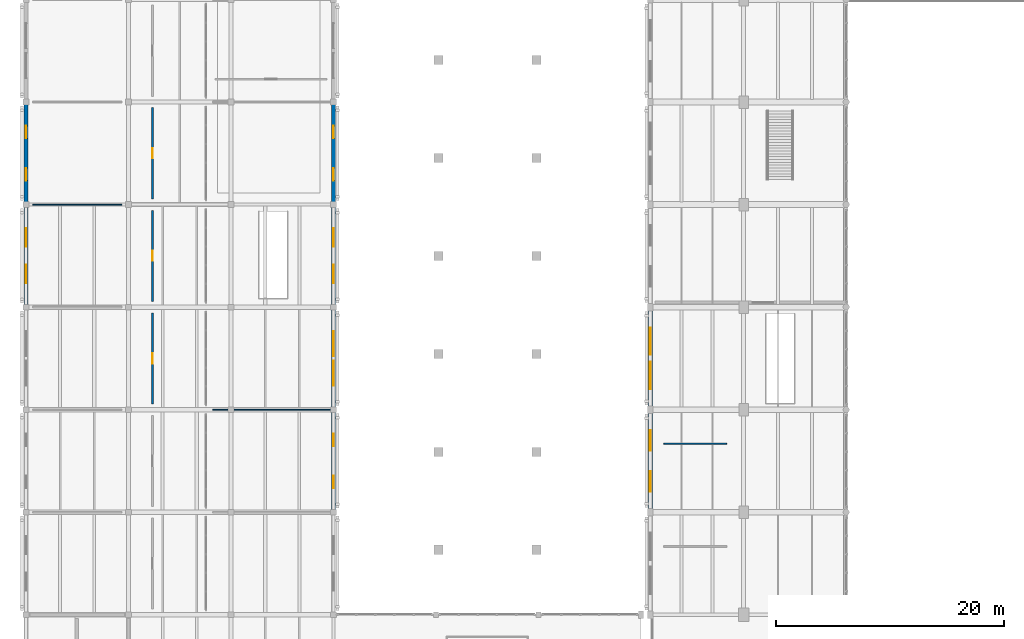
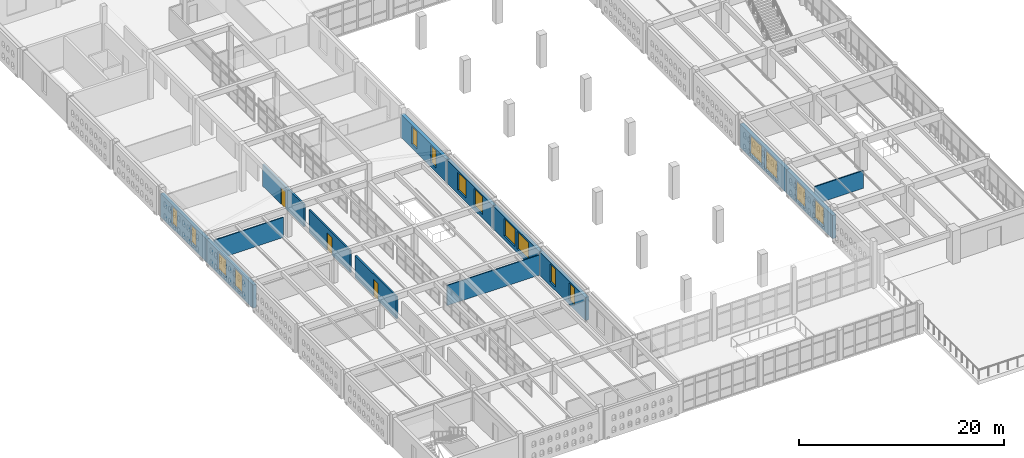
# One storey, part 128 of 156: 16 windows, 14 walls, 3 doors, 19 openings.
"""IFC4 building model written with IfcOpenShell, lengths in metres."""

from ifc_helpers import new_model, si_unit, direction, frame, frame_2d, origin, place, context, subcontext, project, spatial, rectangle, extrude, material, layer, layer_set, type_object, element, fill, save


model = new_model("IFC4")

# Units and contexts
model_context = context("Model", 3, precision=1e-05, world=origin(), true_north=direction((0.0, 1.0)))
body_context = subcontext(model_context, "Body", "Model", "MODEL_VIEW")
ifc_project = project(units=[si_unit("LENGTHUNIT", "METRE"), si_unit("AREAUNIT", "SQUARE_METRE"), si_unit("VOLUMEUNIT", "CUBIC_METRE"), si_unit("PLANEANGLEUNIT", "RADIAN"), si_unit("MASSUNIT", "GRAM", prefix="KILO")], contexts=[model_context])

# Site, building, storey
site_placement = place(None, origin())
site = spatial("IfcSite", under=ifc_project, at=site_placement, CompositionType="ELEMENT")
building_placement = place(site_placement, origin())
building = spatial("IfcBuilding", under=site, at=building_placement, Name="Ornek Quay Market", CompositionType="ELEMENT")
storey_placement = place(building_placement, frame((0.0, 0.0, 4.5)))
storey = spatial("IfcBuildingStorey", under=building, at=storey_placement, Name="L01", CompositionType="ELEMENT", Elevation=4.5)

# Wall, opening, door
ifc_material_1 = material(Name="Autoclaved aerated concrete masonry", Category="masonry")
ifc_layer_1 = layer(ifc_material_1, 0.179931640625, Name="Autoclaved aerated concrete masonry", Category="masonry")
ifc_layer_set_1 = layer_set([ifc_layer_1], Name="Autoclaved aerated concrete masonry")
wall_type_1 = type_object("IfcWallType", Name="WL-CORR-180", PredefinedType="STANDARD", material=ifc_layer_set_1)
wall_1_placement = place(storey_placement, frame((11.10009765625, 47.5, 0.0), z_axis=(0.0, 0.0, 1.0), x_axis=(0.0, 1.0, 0.0)))
wall_1 = element("IfcWall", 1, at=wall_1_placement, inside=storey, type_object=wall_type_1, Name="Interior wall W-INT1-248", PredefinedType="STANDARD", context=body_context, shape_type="SweptSolid", body=[
    extrude(rectangle(XDim=8.0, YDim=0.179931640625, at=frame_2d((4.0, 0.0))), origin(), (0.0, 0.0, 1.0), 2.64990234375),
])
opening_1_placement = place(wall_1_placement, frame((3.550048828125, 0.0, 0.0)))
opening_1 = element("IfcOpeningElement", 2, at=opening_1_placement, cuts=wall_1, Name="Opening ID-05-113", PredefinedType="OPENING", context=body_context, shape_type="SweptSolid", body=[
    extrude(rectangle(XDim=0.89990234375, YDim=2.050048828125, at=frame_2d((0.449951171875, 1.02490234375))), frame((0.0, 0.099853515625, 0.0), z_axis=(0.0, -1.0, 0.0), x_axis=(1.0, 0.0, 0.0)), (0.0, 0.0, 1.0), 0.199951171875),
])
ifc_material_2 = material(Name="Timber market stall service door", Category="wood")
door_type = type_object("IfcDoorType", Name="DR-INT-STALL-900x2050", OperationType="NOTDEFINED", PredefinedType="DOOR", material=ifc_material_2)
door_1_placement = place(opening_1_placement, origin())
door_1 = element("IfcDoor", 3, at=door_1_placement, inside=storey, type_object=door_type, Name="Interior door ID-05-113", OperationType="SINGLE_SWING_RIGHT", OverallHeight=2.050048828125, OverallWidth=0.89990234375, PredefinedType="DOOR", context=body_context, shape_type="SweptSolid", body=[
    extrude(rectangle(XDim=0.89990234375, YDim=2.050048828125, at=frame_2d((0.449951171875, 1.02490234375))), frame((0.0, 0.02490234375, 0.0), z_axis=(0.0, -1.0, 0.0), x_axis=(1.0, 0.0, 0.0)), (0.0, 0.0, 1.0), 0.050048828125),
])
fill(opening_1, door_1)

wall_2_placement = place(storey_placement, frame((11.10009765625, 56.5, 0.0), z_axis=(0.0, 0.0, 1.0), x_axis=(0.0, 1.0, 0.0)))
wall_2 = element("IfcWall", 4, at=wall_2_placement, inside=storey, type_object=wall_type_1, Name="Interior wall W-INT1-249", PredefinedType="STANDARD", context=body_context, shape_type="SweptSolid", body=[
    extrude(rectangle(XDim=8.0, YDim=0.179931640625, at=frame_2d((4.0, 0.0))), origin(), (0.0, 0.0, 1.0), 2.64990234375),
])
opening_2_placement = place(wall_2_placement, frame((3.550048828125, 0.0, 0.0)))
opening_2 = element("IfcOpeningElement", 5, at=opening_2_placement, cuts=wall_2, Name="Opening ID-05-114", PredefinedType="OPENING", context=body_context, shape_type="SweptSolid", body=[
    extrude(rectangle(XDim=0.89990234375, YDim=2.050048828125, at=frame_2d((0.449951171875, 1.02490234375))), frame((0.0, 0.099853515625, 0.0), z_axis=(0.0, -1.0, 0.0), x_axis=(1.0, 0.0, 0.0)), (0.0, 0.0, 1.0), 0.199951171875),
])
door_2_placement = place(opening_2_placement, origin())
door_2 = element("IfcDoor", 6, at=door_2_placement, inside=storey, type_object=door_type, Name="Interior door ID-05-114", OperationType="SINGLE_SWING_LEFT", OverallHeight=2.050048828125, OverallWidth=0.89990234375, PredefinedType="DOOR", context=body_context, shape_type="SweptSolid", body=[
    extrude(rectangle(XDim=0.89990234375, YDim=2.050048828125, at=frame_2d((0.449951171875, 1.02490234375))), frame((0.0, 0.02490234375, 0.0), z_axis=(0.0, -1.0, 0.0), x_axis=(1.0, 0.0, 0.0)), (0.0, 0.0, 1.0), 0.050048828125),
])
fill(opening_2, door_2)

wall_3_placement = place(storey_placement, frame((11.10009765625, 65.5, 0.0), z_axis=(0.0, 0.0, 1.0), x_axis=(0.0, 1.0, 0.0)))
wall_3 = element("IfcWall", 7, at=wall_3_placement, inside=storey, type_object=wall_type_1, Name="Interior wall W-INT1-250", PredefinedType="STANDARD", context=body_context, shape_type="SweptSolid", body=[
    extrude(rectangle(XDim=8.0, YDim=0.179931640625, at=frame_2d((4.0, 0.0))), origin(), (0.0, 0.0, 1.0), 2.64990234375),
])
opening_3_placement = place(wall_3_placement, frame((3.550048828125, 0.0, 0.0)))
opening_3 = element("IfcOpeningElement", 8, at=opening_3_placement, cuts=wall_3, Name="Opening ID-05-115", PredefinedType="OPENING", context=body_context, shape_type="SweptSolid", body=[
    extrude(rectangle(XDim=0.89990234375, YDim=2.050048828125, at=frame_2d((0.449951171875, 1.02490234375))), frame((0.0, 0.099853515625, 0.0), z_axis=(0.0, -1.0, 0.0), x_axis=(1.0, 0.0, 0.0)), (0.0, 0.0, 1.0), 0.199951171875),
])
door_3_placement = place(opening_3_placement, origin())
door_3 = element("IfcDoor", 9, at=door_3_placement, inside=storey, type_object=door_type, Name="Interior door ID-05-115", OperationType="SINGLE_SWING_RIGHT", OverallHeight=2.050048828125, OverallWidth=0.89990234375, PredefinedType="DOOR", context=body_context, shape_type="SweptSolid", body=[
    extrude(rectangle(XDim=0.89990234375, YDim=2.050048828125, at=frame_2d((0.449951171875, 1.02490234375))), frame((0.0, 0.02490234375, 0.0), z_axis=(0.0, -1.0, 0.0), x_axis=(1.0, 0.0, 0.0)), (0.0, 0.0, 1.0), 0.050048828125),
])
fill(opening_3, door_3)

# Wall, openings, windows
ifc_material_3 = material(Name="Frost-resistant facing clay brick M200 F100", Category="masonry")
ifc_layer_2 = layer(ifc_material_3, 0.419921875, Name="Frost-resistant facing clay brick M200 F100", Category="masonry")
ifc_layer_set_2 = layer_set([ifc_layer_2], Name="Frost-resistant facing clay brick M200 F100")
wall_type_2 = type_object("IfcWallType", Name="WL-EXT-HALL-420", PredefinedType="STANDARD", material=ifc_layer_set_2)
wall_4_placement = place(storey_placement, frame((54.800048828125, 38.0, 0.0), z_axis=(0.0, 0.0, 1.0), x_axis=(0.0, 1.0, 0.0)))
wall_4 = element("IfcWall", 10, at=wall_4_placement, inside=storey, type_object=wall_type_2, Name="Exterior wall EW-128", PredefinedType="STANDARD", context=body_context, shape_type="SweptSolid", body=[
    extrude(rectangle(XDim=9.0, YDim=0.419921875, at=frame_2d((4.5, 0.0))), origin(), (0.0, 0.0, 1.0), 2.7900390625),
])
opening_4_placement = place(wall_4_placement, frame((1.800048828125, 0.0, 0.35009765625)))
opening_4 = element("IfcOpeningElement", 11, at=opening_4_placement, cuts=wall_4, Name="Opening W-02-088", PredefinedType="OPENING", context=body_context, shape_type="SweptSolid", body=[
    extrude(rectangle(XDim=1.800048828125, YDim=2.260009765625, at=frame_2d((0.89990234375, 1.1298828125))), frame((0.0, 0.219970703125, 0.0), z_axis=(0.0, -1.0, 0.0), x_axis=(1.0, 0.0, 0.0)), (0.0, 0.0, 1.0), 0.43994140625),
])
opening_5_placement = place(wall_4_placement, frame((5.39990234375, 0.0, 0.35009765625)))
opening_5 = element("IfcOpeningElement", 12, at=opening_5_placement, cuts=wall_4, Name="Opening W-02-089", PredefinedType="OPENING", context=body_context, shape_type="SweptSolid", body=[
    extrude(rectangle(XDim=1.800048828125, YDim=2.260009765625, at=frame_2d((0.89990234375, 1.1298828125))), frame((0.0, 0.219970703125, 0.0), z_axis=(0.0, -1.0, 0.0), x_axis=(1.0, 0.0, 0.0)), (0.0, 0.0, 1.0), 0.43994140625),
])
ifc_material_4 = material(Name="Thermally broken bronze aluminium and triple low-e glass", Category="aluminium")
window_type_1 = type_object("IfcWindowType", Name="WN-HALL-1800x2600", PartitioningType="DOUBLE_PANEL_VERTICAL", PredefinedType="WINDOW", material=ifc_material_4)
window_1_placement = place(opening_4_placement, origin())
window_1 = element("IfcWindow", 13, at=window_1_placement, inside=storey, type_object=window_type_1, Name="Window W-02-088", OverallHeight=2.260009765625, OverallWidth=1.800048828125, PartitioningType="SINGLE_PANEL", PredefinedType="WINDOW", context=body_context, shape_type="SweptSolid", body=[
    extrude(rectangle(XDim=1.800048828125, YDim=2.260009765625, at=frame_2d((0.89990234375, 1.1298828125))), frame((0.0, 0.030029296875, 0.0), z_axis=(0.0, -1.0, 0.0), x_axis=(1.0, 0.0, 0.0)), (0.0, 0.0, 1.0), 0.06005859375),
])
fill(opening_4, window_1)
window_2_placement = place(opening_5_placement, origin())
window_2 = element("IfcWindow", 14, at=window_2_placement, inside=storey, type_object=window_type_1, Name="Window W-02-089", OverallHeight=2.260009765625, OverallWidth=1.800048828125, PartitioningType="SINGLE_PANEL", PredefinedType="WINDOW", context=body_context, shape_type="SweptSolid", body=[
    extrude(rectangle(XDim=1.800048828125, YDim=2.260009765625, at=frame_2d((0.89990234375, 1.1298828125))), frame((0.0, 0.030029296875, 0.0), z_axis=(0.0, -1.0, 0.0), x_axis=(1.0, 0.0, 0.0)), (0.0, 0.0, 1.0), 0.06005859375),
])
fill(opening_5, window_2)

wall_5_placement = place(storey_placement, frame((54.800048828125, 47.0, 0.0), z_axis=(0.0, 0.0, 1.0), x_axis=(0.0, 1.0, 0.0)))
wall_5 = element("IfcWall", 15, at=wall_5_placement, inside=storey, type_object=wall_type_2, Name="Exterior wall EW-129", PredefinedType="STANDARD", context=body_context, shape_type="SweptSolid", body=[
    extrude(rectangle(XDim=9.0, YDim=0.419921875, at=frame_2d((4.5, 0.0))), origin(), (0.0, 0.0, 1.0), 2.7900390625),
])
opening_6_placement = place(wall_5_placement, frame((1.800048828125, 0.0, 0.35009765625)))
opening_6 = element("IfcOpeningElement", 16, at=opening_6_placement, cuts=wall_5, Name="Opening W-01-090", PredefinedType="OPENING", context=body_context, shape_type="SweptSolid", body=[
    extrude(rectangle(XDim=2.39990234375, YDim=2.260009765625, at=frame_2d((1.199951171875, 1.1298828125))), frame((0.0, 0.219970703125, 0.0), z_axis=(0.0, -1.0, 0.0), x_axis=(1.0, 0.0, 0.0)), (0.0, 0.0, 1.0), 0.43994140625),
])
opening_7_placement = place(wall_5_placement, frame((4.800048828125, 0.0, 0.35009765625)))
opening_7 = element("IfcOpeningElement", 17, at=opening_7_placement, cuts=wall_5, Name="Opening W-01-091", PredefinedType="OPENING", context=body_context, shape_type="SweptSolid", body=[
    extrude(rectangle(XDim=2.39990234375, YDim=2.260009765625, at=frame_2d((1.199951171875, 1.1298828125))), frame((0.0, 0.219970703125, 0.0), z_axis=(0.0, -1.0, 0.0), x_axis=(1.0, 0.0, 0.0)), (0.0, 0.0, 1.0), 0.43994140625),
])
window_type_2 = type_object("IfcWindowType", Name="WN-HALL-2400x2600", PartitioningType="DOUBLE_PANEL_VERTICAL", PredefinedType="WINDOW", material=ifc_material_4)
window_3_placement = place(opening_6_placement, origin())
window_3 = element("IfcWindow", 18, at=window_3_placement, inside=storey, type_object=window_type_2, Name="Window W-01-090", OverallHeight=2.260009765625, OverallWidth=2.39990234375, PartitioningType="SINGLE_PANEL", PredefinedType="WINDOW", context=body_context, shape_type="SweptSolid", body=[
    extrude(rectangle(XDim=2.39990234375, YDim=2.260009765625, at=frame_2d((1.199951171875, 1.1298828125))), frame((0.0, 0.030029296875, 0.0), z_axis=(0.0, -1.0, 0.0), x_axis=(1.0, 0.0, 0.0)), (0.0, 0.0, 1.0), 0.06005859375),
])
fill(opening_6, window_3)
window_4_placement = place(opening_7_placement, origin())
window_4 = element("IfcWindow", 19, at=window_4_placement, inside=storey, type_object=window_type_2, Name="Window W-01-091", OverallHeight=2.260009765625, OverallWidth=2.39990234375, PartitioningType="SINGLE_PANEL", PredefinedType="WINDOW", context=body_context, shape_type="SweptSolid", body=[
    extrude(rectangle(XDim=2.39990234375, YDim=2.260009765625, at=frame_2d((1.199951171875, 1.1298828125))), frame((0.0, 0.030029296875, 0.0), z_axis=(0.0, -1.0, 0.0), x_axis=(1.0, 0.0, 0.0)), (0.0, 0.0, 1.0), 0.06005859375),
])
fill(opening_7, window_4)

ifc_layer_3 = layer(ifc_material_3, 0.3798828125, Name="Frost-resistant facing clay brick M200 F100", Category="masonry")
ifc_layer_set_3 = layer_set([ifc_layer_3], Name="Frost-resistant facing clay brick M200 F100")
wall_type_3 = type_object("IfcWallType", Name="WL-EXT-WING-380", PredefinedType="STANDARD", material=ifc_layer_set_3)
wall_6_placement = place(storey_placement, frame((0.0, 56.0, 0.0), z_axis=(0.0, 0.0, 1.0), x_axis=(0.0, 1.0, 0.0)))
wall_6 = element("IfcWall", 20, at=wall_6_placement, inside=storey, type_object=wall_type_3, Name="Exterior wall EW-064", PredefinedType="STANDARD", context=body_context, shape_type="SweptSolid", body=[
    extrude(rectangle(XDim=9.0, YDim=0.3798828125, at=frame_2d((4.5, 0.0))), origin(), (0.0, 0.0, 1.0), 2.760009765625),
])
opening_8_placement = place(wall_6_placement, frame((2.10009765625, 0.0, 0.469970703125)))
opening_8 = element("IfcOpeningElement", 21, at=opening_8_placement, cuts=wall_6, Name="Opening W-13-034", PredefinedType="OPENING", context=body_context, shape_type="SweptSolid", body=[
    extrude(rectangle(XDim=1.60009765625, YDim=2.10009765625, at=frame_2d((0.800048828125, 1.050048828125))), frame((0.0, 0.199951171875, 0.0), z_axis=(0.0, -1.0, 0.0), x_axis=(1.0, 0.0, 0.0)), (0.0, 0.0, 1.0), 0.39990234375),
])
opening_9_placement = place(wall_6_placement, frame((5.300048828125, 0.0, 0.469970703125)))
opening_9 = element("IfcOpeningElement", 22, at=opening_9_placement, cuts=wall_6, Name="Opening W-13-035", PredefinedType="OPENING", context=body_context, shape_type="SweptSolid", body=[
    extrude(rectangle(XDim=1.60009765625, YDim=2.10009765625, at=frame_2d((0.800048828125, 1.050048828125))), frame((0.0, 0.199951171875, 0.0), z_axis=(0.0, -1.0, 0.0), x_axis=(1.0, 0.0, 0.0)), (0.0, 0.0, 1.0), 0.39990234375),
])
window_type_3 = type_object("IfcWindowType", Name="WN-WW-1600x2100", PartitioningType="DOUBLE_PANEL_VERTICAL", PredefinedType="WINDOW", material=ifc_material_4)
window_5_placement = place(opening_8_placement, origin())
window_5 = element("IfcWindow", 23, at=window_5_placement, inside=storey, type_object=window_type_3, Name="Window W-13-034", OverallHeight=2.10009765625, OverallWidth=1.60009765625, PartitioningType="SINGLE_PANEL", PredefinedType="WINDOW", context=body_context, shape_type="SweptSolid", body=[
    extrude(rectangle(XDim=1.60009765625, YDim=2.10009765625, at=frame_2d((0.800048828125, 1.050048828125))), frame((0.0, 0.030029296875, 0.0), z_axis=(0.0, -1.0, 0.0), x_axis=(1.0, 0.0, 0.0)), (0.0, 0.0, 1.0), 0.06005859375),
])
fill(opening_8, window_5)
window_6_placement = place(opening_9_placement, origin())
window_6 = element("IfcWindow", 24, at=window_6_placement, inside=storey, type_object=window_type_3, Name="Window W-13-035", OverallHeight=2.10009765625, OverallWidth=1.60009765625, PartitioningType="SINGLE_PANEL", PredefinedType="WINDOW", context=body_context, shape_type="SweptSolid", body=[
    extrude(rectangle(XDim=1.60009765625, YDim=2.10009765625, at=frame_2d((0.800048828125, 1.050048828125))), frame((0.0, 0.030029296875, 0.0), z_axis=(0.0, -1.0, 0.0), x_axis=(1.0, 0.0, 0.0)), (0.0, 0.0, 1.0), 0.06005859375),
])
fill(opening_9, window_6)

wall_7_placement = place(storey_placement, frame((0.0, 65.0, 0.0), z_axis=(0.0, 0.0, 1.0), x_axis=(0.0, 1.0, 0.0)))
wall_7 = element("IfcWall", 25, at=wall_7_placement, inside=storey, type_object=wall_type_3, Name="Exterior wall EW-065", PredefinedType="STANDARD", context=body_context, shape_type="SweptSolid", body=[
    extrude(rectangle(XDim=9.0, YDim=0.3798828125, at=frame_2d((4.5, 0.0))), origin(), (0.0, 0.0, 1.0), 2.760009765625),
])
opening_10_placement = place(wall_7_placement, frame((2.10009765625, 0.0, 0.47998046875)))
opening_10 = element("IfcOpeningElement", 26, at=opening_10_placement, cuts=wall_7, Name="Opening W-14-036", PredefinedType="OPENING", context=body_context, shape_type="SweptSolid", body=[
    extrude(rectangle(XDim=1.10009765625, YDim=2.10009765625, at=frame_2d((0.550048828125, 1.050048828125))), frame((0.0, 0.199951171875, 0.0), z_axis=(0.0, -1.0, 0.0), x_axis=(1.0, 0.0, 0.0)), (0.0, 0.0, 1.0), 0.39990234375),
])
opening_11_placement = place(wall_7_placement, frame((5.800048828125, 0.0, 0.47998046875)))
opening_11 = element("IfcOpeningElement", 27, at=opening_11_placement, cuts=wall_7, Name="Opening W-14-037", PredefinedType="OPENING", context=body_context, shape_type="SweptSolid", body=[
    extrude(rectangle(XDim=1.10009765625, YDim=2.10009765625, at=frame_2d((0.550048828125, 1.050048828125))), frame((0.0, 0.199951171875, 0.0), z_axis=(0.0, -1.0, 0.0), x_axis=(1.0, 0.0, 0.0)), (0.0, 0.0, 1.0), 0.39990234375),
])
window_type_4 = type_object("IfcWindowType", Name="WN-WW-1100x2100", PartitioningType="SINGLE_PANEL", PredefinedType="WINDOW", material=ifc_material_4)
window_7_placement = place(opening_10_placement, origin())
window_7 = element("IfcWindow", 28, at=window_7_placement, inside=storey, type_object=window_type_4, Name="Window W-14-036", OverallHeight=2.10009765625, OverallWidth=1.10009765625, PartitioningType="SINGLE_PANEL", PredefinedType="WINDOW", context=body_context, shape_type="SweptSolid", body=[
    extrude(rectangle(XDim=1.10009765625, YDim=2.10009765625, at=frame_2d((0.550048828125, 1.050048828125))), frame((0.0, 0.030029296875, 0.0), z_axis=(0.0, -1.0, 0.0), x_axis=(1.0, 0.0, 0.0)), (0.0, 0.0, 1.0), 0.06005859375),
])
fill(opening_10, window_7)
window_8_placement = place(opening_11_placement, origin())
window_8 = element("IfcWindow", 29, at=window_8_placement, inside=storey, type_object=window_type_4, Name="Window W-14-037", OverallHeight=2.10009765625, OverallWidth=1.10009765625, PartitioningType="SINGLE_PANEL", PredefinedType="WINDOW", context=body_context, shape_type="SweptSolid", body=[
    extrude(rectangle(XDim=1.10009765625, YDim=2.10009765625, at=frame_2d((0.550048828125, 1.050048828125))), frame((0.0, 0.030029296875, 0.0), z_axis=(0.0, -1.0, 0.0), x_axis=(1.0, 0.0, 0.0)), (0.0, 0.0, 1.0), 0.06005859375),
])
fill(opening_11, window_8)

wall_8_placement = place(storey_placement, frame((27.0, 38.0, 0.0), z_axis=(0.0, 0.0, 1.0), x_axis=(0.0, 1.0, 0.0)))
wall_8 = element("IfcWall", 30, at=wall_8_placement, inside=storey, type_object=wall_type_3, Name="Exterior wall EW-071", PredefinedType="STANDARD", context=body_context, shape_type="SweptSolid", body=[
    extrude(rectangle(XDim=9.0, YDim=0.3798828125, at=frame_2d((4.5, 0.0))), origin(), (0.0, 0.0, 1.0), 2.760009765625),
])
opening_12_placement = place(wall_8_placement, frame((2.10009765625, 0.0, 0.469970703125)))
opening_12 = element("IfcOpeningElement", 31, at=opening_12_placement, cuts=wall_8, Name="Opening W-14-047", PredefinedType="OPENING", context=body_context, shape_type="SweptSolid", body=[
    extrude(rectangle(XDim=1.10009765625, YDim=2.10009765625, at=frame_2d((0.550048828125, 1.050048828125))), frame((0.0, 0.199951171875, 0.0), z_axis=(0.0, -1.0, 0.0), x_axis=(1.0, 0.0, 0.0)), (0.0, 0.0, 1.0), 0.39990234375),
])
opening_13_placement = place(wall_8_placement, frame((5.800048828125, 0.0, 0.469970703125)))
opening_13 = element("IfcOpeningElement", 32, at=opening_13_placement, cuts=wall_8, Name="Opening W-14-048", PredefinedType="OPENING", context=body_context, shape_type="SweptSolid", body=[
    extrude(rectangle(XDim=1.10009765625, YDim=2.10009765625, at=frame_2d((0.550048828125, 1.050048828125))), frame((0.0, 0.199951171875, 0.0), z_axis=(0.0, -1.0, 0.0), x_axis=(1.0, 0.0, 0.0)), (0.0, 0.0, 1.0), 0.39990234375),
])
window_9_placement = place(opening_12_placement, origin())
window_9 = element("IfcWindow", 33, at=window_9_placement, inside=storey, type_object=window_type_4, Name="Window W-14-047", OverallHeight=2.10009765625, OverallWidth=1.10009765625, PartitioningType="SINGLE_PANEL", PredefinedType="WINDOW", context=body_context, shape_type="SweptSolid", body=[
    extrude(rectangle(XDim=1.10009765625, YDim=2.10009765625, at=frame_2d((0.550048828125, 1.050048828125))), frame((0.0, 0.030029296875, 0.0), z_axis=(0.0, -1.0, 0.0), x_axis=(1.0, 0.0, 0.0)), (0.0, 0.0, 1.0), 0.06005859375),
])
fill(opening_12, window_9)
window_10_placement = place(opening_13_placement, origin())
window_10 = element("IfcWindow", 34, at=window_10_placement, inside=storey, type_object=window_type_4, Name="Window W-14-048", OverallHeight=2.10009765625, OverallWidth=1.10009765625, PartitioningType="SINGLE_PANEL", PredefinedType="WINDOW", context=body_context, shape_type="SweptSolid", body=[
    extrude(rectangle(XDim=1.10009765625, YDim=2.10009765625, at=frame_2d((0.550048828125, 1.050048828125))), frame((0.0, 0.030029296875, 0.0), z_axis=(0.0, -1.0, 0.0), x_axis=(1.0, 0.0, 0.0)), (0.0, 0.0, 1.0), 0.06005859375),
])
fill(opening_13, window_10)

wall_9_placement = place(storey_placement, frame((27.0, 47.0, 0.0), z_axis=(0.0, 0.0, 1.0), x_axis=(0.0, 1.0, 0.0)))
wall_9 = element("IfcWall", 35, at=wall_9_placement, inside=storey, type_object=wall_type_3, Name="Exterior wall EW-072", PredefinedType="STANDARD", context=body_context, shape_type="SweptSolid", body=[
    extrude(rectangle(XDim=9.0, YDim=0.3798828125, at=frame_2d((4.5, 0.0))), origin(), (0.0, 0.0, 1.0), 2.760009765625),
])
opening_14_placement = place(wall_9_placement, frame((2.10009765625, 0.0, 0.469970703125)))
opening_14 = element("IfcOpeningElement", 36, at=opening_14_placement, cuts=wall_9, Name="Opening W-12-049", PredefinedType="OPENING", context=body_context, shape_type="SweptSolid", body=[
    extrude(rectangle(XDim=2.199951171875, YDim=2.10009765625, at=frame_2d((1.10009765625, 1.050048828125))), frame((0.0, 0.199951171875, 0.0), z_axis=(0.0, -1.0, 0.0), x_axis=(1.0, 0.0, 0.0)), (0.0, 0.0, 1.0), 0.39990234375),
])
opening_15_placement = place(wall_9_placement, frame((4.699951171875, 0.0, 0.469970703125)))
opening_15 = element("IfcOpeningElement", 37, at=opening_15_placement, cuts=wall_9, Name="Opening W-12-050", PredefinedType="OPENING", context=body_context, shape_type="SweptSolid", body=[
    extrude(rectangle(XDim=2.199951171875, YDim=2.10009765625, at=frame_2d((1.10009765625, 1.050048828125))), frame((0.0, 0.199951171875, 0.0), z_axis=(0.0, -1.0, 0.0), x_axis=(1.0, 0.0, 0.0)), (0.0, 0.0, 1.0), 0.39990234375),
])
window_type_5 = type_object("IfcWindowType", Name="WN-WW-2200x2100", PartitioningType="DOUBLE_PANEL_VERTICAL", PredefinedType="WINDOW", material=ifc_material_4)
window_11_placement = place(opening_14_placement, origin())
window_11 = element("IfcWindow", 38, at=window_11_placement, inside=storey, type_object=window_type_5, Name="Window W-12-049", OverallHeight=2.10009765625, OverallWidth=2.199951171875, PartitioningType="SINGLE_PANEL", PredefinedType="WINDOW", context=body_context, shape_type="SweptSolid", body=[
    extrude(rectangle(XDim=2.199951171875, YDim=2.10009765625, at=frame_2d((1.10009765625, 1.050048828125))), frame((0.0, 0.030029296875, 0.0), z_axis=(0.0, -1.0, 0.0), x_axis=(1.0, 0.0, 0.0)), (0.0, 0.0, 1.0), 0.06005859375),
])
fill(opening_14, window_11)
window_12_placement = place(opening_15_placement, origin())
window_12 = element("IfcWindow", 39, at=window_12_placement, inside=storey, type_object=window_type_5, Name="Window W-12-050", OverallHeight=2.10009765625, OverallWidth=2.199951171875, PartitioningType="SINGLE_PANEL", PredefinedType="WINDOW", context=body_context, shape_type="SweptSolid", body=[
    extrude(rectangle(XDim=2.199951171875, YDim=2.10009765625, at=frame_2d((1.10009765625, 1.050048828125))), frame((0.0, 0.030029296875, 0.0), z_axis=(0.0, -1.0, 0.0), x_axis=(1.0, 0.0, 0.0)), (0.0, 0.0, 1.0), 0.06005859375),
])
fill(opening_15, window_12)

wall_10_placement = place(storey_placement, frame((27.0, 56.0, 0.0), z_axis=(0.0, 0.0, 1.0), x_axis=(0.0, 1.0, 0.0)))
wall_10 = element("IfcWall", 40, at=wall_10_placement, inside=storey, type_object=wall_type_3, Name="Exterior wall EW-073", PredefinedType="STANDARD", context=body_context, shape_type="SweptSolid", body=[
    extrude(rectangle(XDim=9.0, YDim=0.3798828125, at=frame_2d((4.5, 0.0))), origin(), (0.0, 0.0, 1.0), 2.760009765625),
])
opening_16_placement = place(wall_10_placement, frame((2.10009765625, 0.0, 0.469970703125)))
opening_16 = element("IfcOpeningElement", 41, at=opening_16_placement, cuts=wall_10, Name="Opening W-13-051", PredefinedType="OPENING", context=body_context, shape_type="SweptSolid", body=[
    extrude(rectangle(XDim=1.60009765625, YDim=2.10009765625, at=frame_2d((0.800048828125, 1.050048828125))), frame((0.0, 0.199951171875, 0.0), z_axis=(0.0, -1.0, 0.0), x_axis=(1.0, 0.0, 0.0)), (0.0, 0.0, 1.0), 0.39990234375),
])
opening_17_placement = place(wall_10_placement, frame((5.300048828125, 0.0, 0.469970703125)))
opening_17 = element("IfcOpeningElement", 42, at=opening_17_placement, cuts=wall_10, Name="Opening W-13-052", PredefinedType="OPENING", context=body_context, shape_type="SweptSolid", body=[
    extrude(rectangle(XDim=1.60009765625, YDim=2.10009765625, at=frame_2d((0.800048828125, 1.050048828125))), frame((0.0, 0.199951171875, 0.0), z_axis=(0.0, -1.0, 0.0), x_axis=(1.0, 0.0, 0.0)), (0.0, 0.0, 1.0), 0.39990234375),
])
window_13_placement = place(opening_16_placement, origin())
window_13 = element("IfcWindow", 43, at=window_13_placement, inside=storey, type_object=window_type_3, Name="Window W-13-051", OverallHeight=2.10009765625, OverallWidth=1.60009765625, PartitioningType="SINGLE_PANEL", PredefinedType="WINDOW", context=body_context, shape_type="SweptSolid", body=[
    extrude(rectangle(XDim=1.60009765625, YDim=2.10009765625, at=frame_2d((0.800048828125, 1.050048828125))), frame((0.0, 0.030029296875, 0.0), z_axis=(0.0, -1.0, 0.0), x_axis=(1.0, 0.0, 0.0)), (0.0, 0.0, 1.0), 0.06005859375),
])
fill(opening_16, window_13)
window_14_placement = place(opening_17_placement, origin())
window_14 = element("IfcWindow", 44, at=window_14_placement, inside=storey, type_object=window_type_3, Name="Window W-13-052", OverallHeight=2.10009765625, OverallWidth=1.60009765625, PartitioningType="SINGLE_PANEL", PredefinedType="WINDOW", context=body_context, shape_type="SweptSolid", body=[
    extrude(rectangle(XDim=1.60009765625, YDim=2.10009765625, at=frame_2d((0.800048828125, 1.050048828125))), frame((0.0, 0.030029296875, 0.0), z_axis=(0.0, -1.0, 0.0), x_axis=(1.0, 0.0, 0.0)), (0.0, 0.0, 1.0), 0.06005859375),
])
fill(opening_17, window_14)

wall_11_placement = place(storey_placement, frame((27.0, 65.0, 0.0), z_axis=(0.0, 0.0, 1.0), x_axis=(0.0, 1.0, 0.0)))
wall_11 = element("IfcWall", 45, at=wall_11_placement, inside=storey, type_object=wall_type_3, Name="Exterior wall EW-074", PredefinedType="STANDARD", context=body_context, shape_type="SweptSolid", body=[
    extrude(rectangle(XDim=9.0, YDim=0.3798828125, at=frame_2d((4.5, 0.0))), origin(), (0.0, 0.0, 1.0), 2.760009765625),
])
opening_18_placement = place(wall_11_placement, frame((2.10009765625, 0.0, 0.47998046875)))
opening_18 = element("IfcOpeningElement", 46, at=opening_18_placement, cuts=wall_11, Name="Opening W-14-053", PredefinedType="OPENING", context=body_context, shape_type="SweptSolid", body=[
    extrude(rectangle(XDim=1.10009765625, YDim=2.10009765625, at=frame_2d((0.550048828125, 1.050048828125))), frame((0.0, 0.199951171875, 0.0), z_axis=(0.0, -1.0, 0.0), x_axis=(1.0, 0.0, 0.0)), (0.0, 0.0, 1.0), 0.39990234375),
])
opening_19_placement = place(wall_11_placement, frame((5.800048828125, 0.0, 0.47998046875)))
opening_19 = element("IfcOpeningElement", 47, at=opening_19_placement, cuts=wall_11, Name="Opening W-14-054", PredefinedType="OPENING", context=body_context, shape_type="SweptSolid", body=[
    extrude(rectangle(XDim=1.10009765625, YDim=2.10009765625, at=frame_2d((0.550048828125, 1.050048828125))), frame((0.0, 0.199951171875, 0.0), z_axis=(0.0, -1.0, 0.0), x_axis=(1.0, 0.0, 0.0)), (0.0, 0.0, 1.0), 0.39990234375),
])
window_15_placement = place(opening_18_placement, origin())
window_15 = element("IfcWindow", 48, at=window_15_placement, inside=storey, type_object=window_type_4, Name="Window W-14-053", OverallHeight=2.10009765625, OverallWidth=1.10009765625, PartitioningType="SINGLE_PANEL", PredefinedType="WINDOW", context=body_context, shape_type="SweptSolid", body=[
    extrude(rectangle(XDim=1.10009765625, YDim=2.10009765625, at=frame_2d((0.550048828125, 1.050048828125))), frame((0.0, 0.030029296875, 0.0), z_axis=(0.0, -1.0, 0.0), x_axis=(1.0, 0.0, 0.0)), (0.0, 0.0, 1.0), 0.06005859375),
])
fill(opening_18, window_15)
window_16_placement = place(opening_19_placement, origin())
window_16 = element("IfcWindow", 49, at=window_16_placement, inside=storey, type_object=window_type_4, Name="Window W-14-054", OverallHeight=2.10009765625, OverallWidth=1.10009765625, PartitioningType="SINGLE_PANEL", PredefinedType="WINDOW", context=body_context, shape_type="SweptSolid", body=[
    extrude(rectangle(XDim=1.10009765625, YDim=2.10009765625, at=frame_2d((0.550048828125, 1.050048828125))), frame((0.0, 0.030029296875, 0.0), z_axis=(0.0, -1.0, 0.0), x_axis=(1.0, 0.0, 0.0)), (0.0, 0.0, 1.0), 0.06005859375),
])
fill(opening_19, window_16)

# Walls
ifc_material_5 = material(Name="Demountable timber-framed stall partition", Category="wood")
ifc_layer_4 = layer(ifc_material_5, 0.10009765625, Name="Demountable timber-framed stall partition", Category="wood")
ifc_layer_set_4 = layer_set([ifc_layer_4], Name="Demountable timber-framed stall partition")
wall_type_4 = type_object("IfcWallType", Name="WL-STALL-100", PredefinedType="PARTITIONING", material=ifc_layer_set_4)
wall_12_placement = place(storey_placement, frame((16.39990234375, 47.0, 0.0), z_axis=(0.0, 0.0, 1.0), x_axis=(1.0, 0.0, 0.0)))
element("IfcWall", 50, at=wall_12_placement, inside=storey, type_object=wall_type_4, Name="Interior wall W-STL2-257", PredefinedType="PARTITIONING", context=body_context, shape_type="SweptSolid", body=[
    extrude(rectangle(XDim=10.400146484375, YDim=0.10009765625, at=frame_2d((5.2001953125, 0.0))), origin(), (0.0, 0.0, 1.0), 2.39990234375),
])
wall_13_placement = place(storey_placement, frame((0.60009765625, 65.0, 0.0), z_axis=(0.0, 0.0, 1.0), x_axis=(1.0, 0.0, 0.0)))
element("IfcWall", 51, at=wall_13_placement, inside=storey, type_object=wall_type_4, Name="Interior wall W-STL2-259", PredefinedType="PARTITIONING", context=body_context, shape_type="SweptSolid", body=[
    extrude(rectangle(XDim=7.7998046875, YDim=0.10009765625, at=frame_2d((3.89990234375, 0.0))), origin(), (0.0, 0.0, 1.0), 2.39990234375),
])
ifc_material_6 = material(Name="Fair-faced brick stall divider wall", Category="masonry")
ifc_layer_5 = layer(ifc_material_6, 0.114990234375, Name="Fair-faced brick stall divider wall", Category="masonry")
ifc_layer_set_5 = layer_set([ifc_layer_5], Name="Fair-faced brick stall divider wall")
wall_type_5 = type_object("IfcWallType", Name="WL-STALL-115", PredefinedType="PARTITIONING", material=ifc_layer_set_5)
wall_14_placement = place(storey_placement, frame((56.0, 44.0, 0.0), z_axis=(0.0, 0.0, 1.0), x_axis=(1.0, 0.0, 0.0)))
element("IfcWall", 52, at=wall_14_placement, inside=storey, type_object=wall_type_5, Name="Interior wall W-STL1-375", PredefinedType="PARTITIONING", context=body_context, shape_type="SweptSolid", body=[
    extrude(rectangle(XDim=5.5, YDim=0.114990234375, at=frame_2d((2.75, 0.0))), origin(), (0.0, 0.0, 1.0), 2.10009765625),
])

save(model, "model.ifc")
